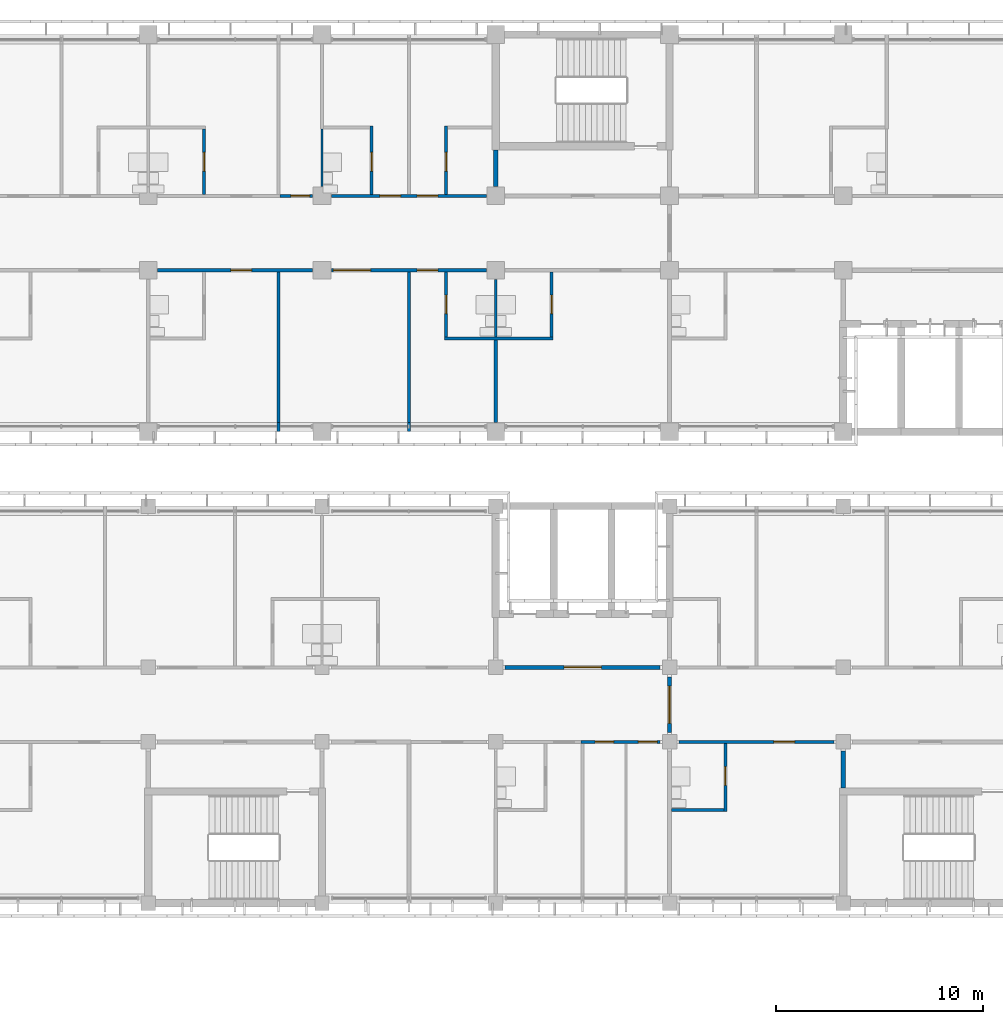
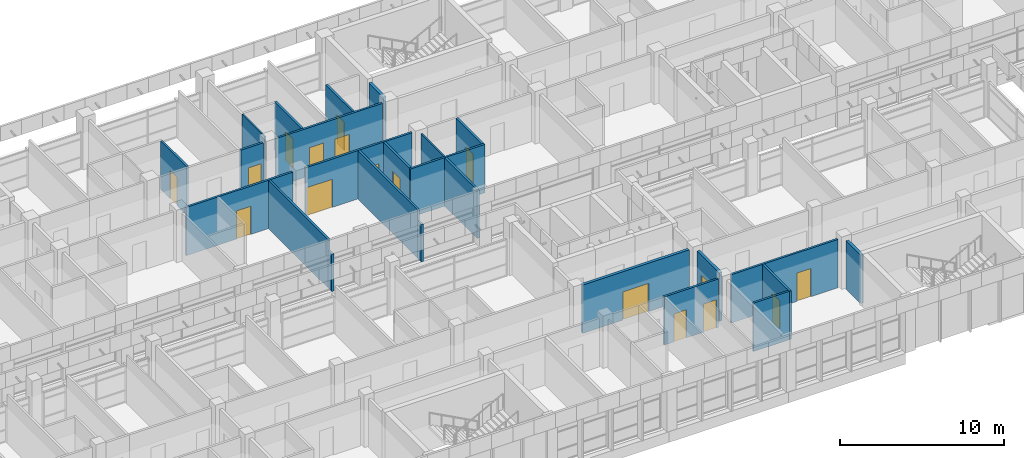
# One storey, part 37 of 74: 25 walls, 17 doors, 17 openings.
"""IFC4 building model written with IfcOpenShell, lengths in metres."""

from ifc_helpers import new_model, si_unit, direction, frame, frame_2d, origin, place, context, subcontext, project, spatial, rectangle, extrude, material, layer, layer_set, type_object, element, fill, save


model = new_model("IFC4")

# Units and contexts
model_context = context("Model", 3, precision=1e-05, world=origin(), true_north=direction((0.0, 1.0)))
body_context = subcontext(model_context, "Body", "Model", "MODEL_VIEW")
ifc_project = project(units=[si_unit("LENGTHUNIT", "METRE"), si_unit("AREAUNIT", "SQUARE_METRE"), si_unit("VOLUMEUNIT", "CUBIC_METRE"), si_unit("PLANEANGLEUNIT", "RADIAN"), si_unit("MASSUNIT", "GRAM", prefix="KILO")], contexts=[model_context])

# Site, building, storey
site_placement = place(None, origin())
site = spatial("IfcSite", under=ifc_project, at=site_placement, CompositionType="ELEMENT")
building_placement = place(site_placement, origin())
building = spatial("IfcBuilding", under=site, at=building_placement, Name="Bougainvillea Quay General Hospital", CompositionType="ELEMENT")
storey_placement = place(building_placement, frame((0.0, 0.0, 21.0)))
storey = spatial("IfcBuildingStorey", under=building, at=storey_placement, Name="L04", CompositionType="ELEMENT", Elevation=21.0)

# Walls
ifc_material_1 = material(Name="Gypsum board partition on steel studs", Category="steel")
ifc_layer_1 = layer(ifc_material_1, 0.10009765625)
ifc_layer_set_1 = layer_set([ifc_layer_1], Name="Gypsum board partition on steel studs")
wall_type_1 = type_object("IfcWallType", Name="Partition 100 Gypsum board partition", PredefinedType="PARTITIONING", material=ifc_layer_set_1)
for number, where, z_axis, x_axis, name in (
    (1, (126.0, 152.25, 0.0), (0.0, 0.0, 1.0), (0.0, 1.0, 0.0), "Partition 100 mm"),
    (2, (134.39990234375, 144.97509765625, 0.0), (0.0, 0.0, 1.0), (0.0, 1.0, 0.0), "Partition 100 mm"),
):
    element("IfcWall", number, at=place(storey_placement, frame(where, z_axis=z_axis, x_axis=x_axis)), inside=storey, type_object=wall_type_1, Name=name, PredefinedType="PARTITIONING", context=body_context, shape_type="SweptSolid", body=[
        extrude(rectangle(XDim=2.77490234375, YDim=0.10009765625, at=frame_2d((1.387451171875, 0.0))), origin(), (0.0, 0.0, 1.0), 3.60009765625),
    ])
ifc_material_2 = material(Name="Gypsum board partition on steel studs, insulated", Category="steel")
ifc_layer_2 = layer(ifc_material_2, 0.14990234375)
ifc_layer_set_2 = layer_set([ifc_layer_2], Name="Gypsum board partition on steel studs, insulated")
wall_type_2 = type_object("IfcWallType", Name="Partition 150 Gypsum board partition", PredefinedType="PARTITIONING", material=ifc_layer_set_2)
wall_1_placement = place(storey_placement, frame((123.89990234375, 140.39990234375, 0.0), z_axis=(0.0, 0.0, 1.0), x_axis=(0.0, 1.0, 0.0)))
element("IfcWall", 3, at=wall_1_placement, inside=storey, type_object=wall_type_2, Name="Partition 150 mm", PredefinedType="PARTITIONING", context=body_context, shape_type="SweptSolid", body=[
    extrude(rectangle(XDim=0.4501953125, YDim=0.14990234375, at=frame_2d((0.22509765625, 0.0))), origin(), (0.0, 0.0, 1.0), 2.780029296875),
])
wall_2_placement = place(storey_placement, frame((123.89990234375, 140.85009765625, 0.0), z_axis=(0.0, 0.0, 1.0), x_axis=(0.0, 1.0, 0.0)))
element("IfcWall", 4, at=wall_2_placement, inside=storey, type_object=wall_type_2, Name="Partition 150 mm", PredefinedType="PARTITIONING", context=body_context, shape_type="SweptSolid", body=[
    extrude(rectangle(XDim=7.27490234375, YDim=0.14990234375, at=frame_2d((3.637451171875, 0.0))), origin(), (0.0, 0.0, 1.0), 3.60009765625),
])
wall_3_placement = place(storey_placement, frame((130.199951171875, 140.39990234375, 0.0), z_axis=(0.0, 0.0, 1.0), x_axis=(0.0, 1.0, 0.0)))
element("IfcWall", 5, at=wall_3_placement, inside=storey, type_object=wall_type_2, Name="Partition 150 mm", PredefinedType="PARTITIONING", context=body_context, shape_type="SweptSolid", body=[
    extrude(rectangle(XDim=0.4501953125, YDim=0.14990234375, at=frame_2d((0.22509765625, 0.0))), origin(), (0.0, 0.0, 1.0), 2.780029296875),
])
wall_4_placement = place(storey_placement, frame((130.199951171875, 140.85009765625, 0.0), z_axis=(0.0, 0.0, 1.0), x_axis=(0.0, 1.0, 0.0)))
element("IfcWall", 6, at=wall_4_placement, inside=storey, type_object=wall_type_2, Name="Partition 150 mm", PredefinedType="PARTITIONING", context=body_context, shape_type="SweptSolid", body=[
    extrude(rectangle(XDim=7.27490234375, YDim=0.14990234375, at=frame_2d((3.637451171875, 0.0))), origin(), (0.0, 0.0, 1.0), 3.60009765625),
])
wall_5_placement = place(storey_placement, frame((131.925048828125, 144.89990234375, 0.0), z_axis=(0.0, 0.0, 1.0), x_axis=(1.0, 0.0, 0.0)))
element("IfcWall", 7, at=wall_5_placement, inside=storey, type_object=wall_type_2, Name="Partition 150 mm", PredefinedType="PARTITIONING", context=body_context, shape_type="SweptSolid", body=[
    extrude(rectangle(XDim=5.25, YDim=0.14990234375, at=frame_2d((2.625, 0.0))), origin(), (0.0, 0.0, 1.0), 3.60009765625),
])
wall_6_placement = place(storey_placement, frame((134.39990234375, 140.85009765625, 0.0), z_axis=(0.0, 0.0, 1.0), x_axis=(0.0, 1.0, 0.0)))
element("IfcWall", 8, at=wall_6_placement, inside=storey, type_object=wall_type_2, Name="Partition 150 mm", PredefinedType="PARTITIONING", context=body_context, shape_type="SweptSolid", body=[
    extrude(rectangle(XDim=3.974853515625, YDim=0.14990234375, at=frame_2d((1.9873046875, 0.0))), origin(), (0.0, 0.0, 1.0), 3.60009765625),
])

# Wall, opening, door
wall_7_placement = place(storey_placement, frame((145.5, 122.02490234375, 0.0), z_axis=(0.0, 0.0, 1.0), x_axis=(0.0, 1.0, 0.0)))
wall_7 = element("IfcWall", 9, at=wall_7_placement, inside=storey, type_object=wall_type_2, Name="Partition 150 mm", PredefinedType="PARTITIONING", context=body_context, shape_type="SweptSolid", body=[
    extrude(rectangle(XDim=3.300048828125, YDim=0.14990234375, at=frame_2d((1.64990234375, 0.0))), origin(), (0.0, 0.0, 1.0), 3.60009765625),
])
opening_1_placement = place(wall_7_placement, frame((1.27490234375, 0.0, 0.0)))
opening_1 = element("IfcOpeningElement", 10, at=opening_1_placement, cuts=wall_7, Name="Opening L04.123", PredefinedType="OPENING", context=body_context, shape_type="SweptSolid", body=[
    extrude(rectangle(XDim=0.89990234375, YDim=2.10009765625, at=frame_2d((0.449951171875, 1.050048828125))), frame((0.0, 0.0849609375, 0.0), z_axis=(0.0, -1.0, 0.0), x_axis=(1.0, 0.0, 0.0)), (0.0, 0.0, 1.0), 0.169921875),
])
ifc_material_3 = material(Name="Solid-core timber door leaf in steel frame", Category="steel")
door_type_1 = type_object("IfcDoorType", Name="Single leaf door 900x2100", OperationType="NOTDEFINED", PredefinedType="DOOR", material=ifc_material_3)
door_1_placement = place(opening_1_placement, origin())
door_1 = element("IfcDoor", 11, at=door_1_placement, inside=storey, type_object=door_type_1, Name="DT07 L04.123", OperationType="SINGLE_SWING_RIGHT", OverallHeight=2.10009765625, OverallWidth=0.89990234375, PredefinedType="DOOR", context=body_context, shape_type="SweptSolid", body=[
    extrude(rectangle(XDim=0.89990234375, YDim=2.10009765625, at=frame_2d((0.449951171875, 1.050048828125))), frame((0.0, 0.02490234375, 0.0), z_axis=(0.0, -1.0, 0.0), x_axis=(1.0, 0.0, 0.0)), (0.0, 0.0, 1.0), 0.050048828125),
])
fill(opening_1, door_1)

wall_8_placement = place(storey_placement, frame((120.300048828125, 151.875, 0.0), z_axis=(0.0, 0.0, 1.0), x_axis=(0.0, 1.0, 0.0)))
wall_8 = element("IfcWall", 12, at=wall_8_placement, inside=storey, type_object=wall_type_2, Name="Partition 150 mm", PredefinedType="PARTITIONING", context=body_context, shape_type="SweptSolid", body=[
    extrude(rectangle(XDim=3.14990234375, YDim=0.14990234375, at=frame_2d((1.574951171875, 0.0))), origin(), (0.0, 0.0, 1.0), 3.60009765625),
])
opening_2_placement = place(wall_8_placement, frame((1.125, 0.0, 0.0)))
opening_2 = element("IfcOpeningElement", 13, at=opening_2_placement, cuts=wall_8, Name="Opening L04.043", PredefinedType="OPENING", context=body_context, shape_type="SweptSolid", body=[
    extrude(rectangle(XDim=0.89990234375, YDim=2.10009765625, at=frame_2d((0.449951171875, 1.050048828125))), frame((0.0, 0.0849609375, 0.0), z_axis=(0.0, -1.0, 0.0), x_axis=(1.0, 0.0, 0.0)), (0.0, 0.0, 1.0), 0.169921875),
])
door_2_placement = place(opening_2_placement, origin())
door_2 = element("IfcDoor", 14, at=door_2_placement, inside=storey, type_object=door_type_1, Name="DT07 L04.043", OperationType="SINGLE_SWING_RIGHT", OverallHeight=2.10009765625, OverallWidth=0.89990234375, PredefinedType="DOOR", context=body_context, shape_type="SweptSolid", body=[
    extrude(rectangle(XDim=0.89990234375, YDim=2.10009765625, at=frame_2d((0.449951171875, 1.050048828125))), frame((0.0, 0.02490234375, 0.0), z_axis=(0.0, -1.0, 0.0), x_axis=(1.0, 0.0, 0.0)), (0.0, 0.0, 1.0), 0.050048828125),
])
fill(opening_2, door_2)

wall_9_placement = place(storey_placement, frame((128.39990234375, 151.875, 0.0), z_axis=(0.0, 0.0, 1.0), x_axis=(0.0, 1.0, 0.0)))
wall_9 = element("IfcWall", 15, at=wall_9_placement, inside=storey, type_object=wall_type_2, Name="Partition 150 mm", PredefinedType="PARTITIONING", context=body_context, shape_type="SweptSolid", body=[
    extrude(rectangle(XDim=3.300048828125, YDim=0.14990234375, at=frame_2d((1.64990234375, 0.0))), origin(), (0.0, 0.0, 1.0), 3.60009765625),
])
opening_3_placement = place(wall_9_placement, frame((1.125, 0.0, 0.0)))
opening_3 = element("IfcOpeningElement", 16, at=opening_3_placement, cuts=wall_9, Name="Opening L04.046", PredefinedType="OPENING", context=body_context, shape_type="SweptSolid", body=[
    extrude(rectangle(XDim=0.89990234375, YDim=2.10009765625, at=frame_2d((0.449951171875, 1.050048828125))), frame((0.0, 0.0849609375, 0.0), z_axis=(0.0, -1.0, 0.0), x_axis=(1.0, 0.0, 0.0)), (0.0, 0.0, 1.0), 0.169921875),
])
door_3_placement = place(opening_3_placement, origin())
door_3 = element("IfcDoor", 17, at=door_3_placement, inside=storey, type_object=door_type_1, Name="DT07 L04.046", OperationType="SINGLE_SWING_LEFT", OverallHeight=2.10009765625, OverallWidth=0.89990234375, PredefinedType="DOOR", context=body_context, shape_type="SweptSolid", body=[
    extrude(rectangle(XDim=0.89990234375, YDim=2.10009765625, at=frame_2d((0.449951171875, 1.050048828125))), frame((0.0, 0.02490234375, 0.0), z_axis=(0.0, -1.0, 0.0), x_axis=(1.0, 0.0, 0.0)), (0.0, 0.0, 1.0), 0.050048828125),
])
fill(opening_3, door_3)

wall_10_placement = place(storey_placement, frame((132.0, 144.97509765625, 0.0), z_axis=(0.0, 0.0, 1.0), x_axis=(0.0, 1.0, 0.0)))
wall_10 = element("IfcWall", 18, at=wall_10_placement, inside=storey, type_object=wall_type_2, Name="Partition 150 mm", PredefinedType="PARTITIONING", context=body_context, shape_type="SweptSolid", body=[
    extrude(rectangle(XDim=3.14990234375, YDim=0.14990234375, at=frame_2d((1.574951171875, 0.0))), origin(), (0.0, 0.0, 1.0), 3.60009765625),
])
opening_4_placement = place(wall_10_placement, frame((1.125, 0.0, 0.0)))
opening_4 = element("IfcOpeningElement", 19, at=opening_4_placement, cuts=wall_10, Name="Opening L04.036", PredefinedType="OPENING", context=body_context, shape_type="SweptSolid", body=[
    extrude(rectangle(XDim=0.89990234375, YDim=2.10009765625, at=frame_2d((0.449951171875, 1.050048828125))), frame((0.0, 0.0849609375, 0.0), z_axis=(0.0, -1.0, 0.0), x_axis=(1.0, 0.0, 0.0)), (0.0, 0.0, 1.0), 0.169921875),
])
door_4_placement = place(opening_4_placement, frame((0.89990234375, 0.0, 0.0), z_axis=(0.0, 0.0, 1.0), x_axis=(-1.0, 0.0, 0.0)))
door_4 = element("IfcDoor", 20, at=door_4_placement, inside=storey, type_object=door_type_1, Name="DT07 L04.036", OperationType="SINGLE_SWING_LEFT", OverallHeight=2.10009765625, OverallWidth=0.89990234375, PredefinedType="DOOR", context=body_context, shape_type="SweptSolid", body=[
    extrude(rectangle(XDim=0.89990234375, YDim=2.10009765625, at=frame_2d((0.449951171875, 1.050048828125))), frame((0.0, 0.02490234375, 0.0), z_axis=(0.0, -1.0, 0.0), x_axis=(1.0, 0.0, 0.0)), (0.0, 0.0, 1.0), 0.050048828125),
])
fill(opening_4, door_4)

wall_11_placement = place(storey_placement, frame((132.0, 151.875, 0.0), z_axis=(0.0, 0.0, 1.0), x_axis=(0.0, 1.0, 0.0)))
wall_11 = element("IfcWall", 21, at=wall_11_placement, inside=storey, type_object=wall_type_2, Name="Partition 150 mm", PredefinedType="PARTITIONING", context=body_context, shape_type="SweptSolid", body=[
    extrude(rectangle(XDim=3.300048828125, YDim=0.14990234375, at=frame_2d((1.64990234375, 0.0))), origin(), (0.0, 0.0, 1.0), 3.60009765625),
])
opening_5_placement = place(wall_11_placement, frame((1.125, 0.0, 0.0)))
opening_5 = element("IfcOpeningElement", 22, at=opening_5_placement, cuts=wall_11, Name="Opening L04.048", PredefinedType="OPENING", context=body_context, shape_type="SweptSolid", body=[
    extrude(rectangle(XDim=0.89990234375, YDim=2.10009765625, at=frame_2d((0.449951171875, 1.050048828125))), frame((0.0, 0.0849609375, 0.0), z_axis=(0.0, -1.0, 0.0), x_axis=(1.0, 0.0, 0.0)), (0.0, 0.0, 1.0), 0.169921875),
])
door_5_placement = place(opening_5_placement, frame((0.89990234375, 0.0, 0.0), z_axis=(0.0, 0.0, 1.0), x_axis=(-1.0, 0.0, 0.0)))
door_5 = element("IfcDoor", 23, at=door_5_placement, inside=storey, type_object=door_type_1, Name="DT07 L04.048", OperationType="SINGLE_SWING_RIGHT", OverallHeight=2.10009765625, OverallWidth=0.89990234375, PredefinedType="DOOR", context=body_context, shape_type="SweptSolid", body=[
    extrude(rectangle(XDim=0.89990234375, YDim=2.10009765625, at=frame_2d((0.449951171875, 1.050048828125))), frame((0.0, 0.02490234375, 0.0), z_axis=(0.0, -1.0, 0.0), x_axis=(1.0, 0.0, 0.0)), (0.0, 0.0, 1.0), 0.050048828125),
])
fill(opening_5, door_5)

wall_12_placement = place(storey_placement, frame((137.10009765625, 144.97509765625, 0.0), z_axis=(0.0, 0.0, 1.0), x_axis=(0.0, 1.0, 0.0)))
wall_12 = element("IfcWall", 24, at=wall_12_placement, inside=storey, type_object=wall_type_2, Name="Partition 150 mm", PredefinedType="PARTITIONING", context=body_context, shape_type="SweptSolid", body=[
    extrude(rectangle(XDim=3.14990234375, YDim=0.14990234375, at=frame_2d((1.574951171875, 0.0))), origin(), (0.0, 0.0, 1.0), 3.60009765625),
])
opening_6_placement = place(wall_12_placement, frame((1.125, 0.0, 0.0)))
opening_6 = element("IfcOpeningElement", 25, at=opening_6_placement, cuts=wall_12, Name="Opening L04.038", PredefinedType="OPENING", context=body_context, shape_type="SweptSolid", body=[
    extrude(rectangle(XDim=0.89990234375, YDim=2.10009765625, at=frame_2d((0.449951171875, 1.050048828125))), frame((0.0, 0.0849609375, 0.0), z_axis=(0.0, -1.0, 0.0), x_axis=(1.0, 0.0, 0.0)), (0.0, 0.0, 1.0), 0.169921875),
])
door_6_placement = place(opening_6_placement, origin())
door_6 = element("IfcDoor", 26, at=door_6_placement, inside=storey, type_object=door_type_1, Name="DT07 L04.038", OperationType="SINGLE_SWING_RIGHT", OverallHeight=2.10009765625, OverallWidth=0.89990234375, PredefinedType="DOOR", context=body_context, shape_type="SweptSolid", body=[
    extrude(rectangle(XDim=0.89990234375, YDim=2.10009765625, at=frame_2d((0.449951171875, 1.050048828125))), frame((0.0, 0.02490234375, 0.0), z_axis=(0.0, -1.0, 0.0), x_axis=(1.0, 0.0, 0.0)), (0.0, 0.0, 1.0), 0.050048828125),
])
fill(opening_6, door_6)

# Wall
wall_13_placement = place(storey_placement, frame((142.89990234375, 122.10009765625, 0.0), z_axis=(0.0, 0.0, 1.0), x_axis=(1.0, 0.0, 0.0)))
element("IfcWall", 27, at=wall_13_placement, inside=storey, type_object=wall_type_2, Name="Partition 150 mm", PredefinedType="PARTITIONING", context=body_context, shape_type="SweptSolid", body=[
    extrude(rectangle(XDim=2.525146484375, YDim=0.14990234375, at=frame_2d((1.2626953125, 0.0))), origin(), (0.0, 0.0, 1.0), 3.60009765625),
])

# Wall, openings, doors
ifc_layer_3 = layer(ifc_material_2, 0.14990234375)
ifc_layer_set_3 = layer_set([ifc_layer_3], Name="Gypsum board partition on steel studs, insulated")
wall_type_3 = type_object("IfcWallType", Name="Partition 150 Gypsum board partition EI 30", PredefinedType="PARTITIONING", material=ifc_layer_set_3)
wall_14_placement = place(storey_placement, frame((133.949951171875, 148.199951171875, 0.0), z_axis=(0.0, 0.0, 1.0), x_axis=(-1.0, 0.0, 0.0)))
wall_14 = element("IfcWall", 28, at=wall_14_placement, inside=storey, type_object=wall_type_3, Name="Partition 150 mm EI 30", PredefinedType="PARTITIONING", context=body_context, shape_type="SweptSolid", body=[
    extrude(rectangle(XDim=7.5, YDim=0.14990234375, at=frame_2d((3.75, 0.0))), origin(), (0.0, 0.0, 1.0), 3.60009765625),
])
opening_7_placement = place(wall_14_placement, frame((5.60009765625, 0.0, 0.0)))
opening_7 = element("IfcOpeningElement", 29, at=opening_7_placement, cuts=wall_14, Name="Opening L04.034", PredefinedType="OPENING", context=body_context, shape_type="SweptSolid", body=[
    extrude(rectangle(XDim=1.800048828125, YDim=2.10009765625, at=frame_2d((0.89990234375, 1.050048828125))), frame((0.0, 0.0849609375, 0.0), z_axis=(0.0, -1.0, 0.0), x_axis=(1.0, 0.0, 0.0)), (0.0, 0.0, 1.0), 0.169921875),
])
opening_8_placement = place(wall_14_placement, frame((2.35009765625, 0.0, 0.0)))
opening_8 = element("IfcOpeningElement", 30, at=opening_8_placement, cuts=wall_14, Name="Opening L04.035", PredefinedType="OPENING", context=body_context, shape_type="SweptSolid", body=[
    extrude(rectangle(XDim=1.0, YDim=2.10009765625, at=frame_2d((0.5, 1.050048828125))), frame((0.0, 0.0849609375, 0.0), z_axis=(0.0, -1.0, 0.0), x_axis=(1.0, 0.0, 0.0)), (0.0, 0.0, 1.0), 0.169921875),
])
ifc_material_4 = material(Name="Solid-core timber door leaves in steel frame", Category="steel")
door_type_2 = type_object("IfcDoorType", Name="Double leaf door 1800x2100 FD30S", OperationType="DOUBLE_DOOR_SINGLE_SWING", PredefinedType="DOOR", material=ifc_material_4)
door_7_placement = place(opening_7_placement, origin())
door_7 = element("IfcDoor", 31, at=door_7_placement, inside=storey, type_object=door_type_2, Name="DT17 L04.034", OperationType="DOUBLE_DOOR_SINGLE_SWING", OverallHeight=2.10009765625, OverallWidth=1.800048828125, PredefinedType="DOOR", context=body_context, shape_type="SweptSolid", body=[
    extrude(rectangle(XDim=1.800048828125, YDim=2.10009765625, at=frame_2d((0.89990234375, 1.050048828125))), frame((0.0, 0.02490234375, 0.0), z_axis=(0.0, -1.0, 0.0), x_axis=(1.0, 0.0, 0.0)), (0.0, 0.0, 1.0), 0.050048828125),
])
fill(opening_7, door_7)
door_type_3 = type_object("IfcDoorType", Name="Single leaf door 1000x2100 FD30S", OperationType="NOTDEFINED", PredefinedType="DOOR", material=ifc_material_3)
door_8_placement = place(opening_8_placement, origin())
door_8 = element("IfcDoor", 32, at=door_8_placement, inside=storey, type_object=door_type_3, Name="DT15 L04.035", OperationType="SINGLE_SWING_LEFT", OverallHeight=2.10009765625, OverallWidth=1.0, PredefinedType="DOOR", context=body_context, shape_type="SweptSolid", body=[
    extrude(rectangle(XDim=1.0, YDim=2.10009765625, at=frame_2d((0.5, 1.050048828125))), frame((0.0, 0.02490234375, 0.0), z_axis=(0.0, -1.0, 0.0), x_axis=(1.0, 0.0, 0.0)), (0.0, 0.0, 1.0), 0.050048828125),
])
fill(opening_8, door_8)

# Wall, opening, door
wall_15_placement = place(storey_placement, frame((125.550048828125, 148.199951171875, 0.0), z_axis=(0.0, 0.0, 1.0), x_axis=(-1.0, 0.0, 0.0)))
wall_15 = element("IfcWall", 33, at=wall_15_placement, inside=storey, type_object=wall_type_3, Name="Partition 150 mm EI 30", PredefinedType="PARTITIONING", context=body_context, shape_type="SweptSolid", body=[
    extrude(rectangle(XDim=7.5, YDim=0.14990234375, at=frame_2d((3.75, 0.0))), origin(), (0.0, 0.0, 1.0), 3.60009765625),
])
opening_9_placement = place(wall_15_placement, frame((2.949951171875, 0.0, 0.0)))
opening_9 = element("IfcOpeningElement", 34, at=opening_9_placement, cuts=wall_15, Name="Opening L04.032", PredefinedType="OPENING", context=body_context, shape_type="SweptSolid", body=[
    extrude(rectangle(XDim=1.0, YDim=2.10009765625, at=frame_2d((0.5, 1.050048828125))), frame((0.0, 0.0849609375, 0.0), z_axis=(0.0, -1.0, 0.0), x_axis=(1.0, 0.0, 0.0)), (0.0, 0.0, 1.0), 0.169921875),
])
door_9_placement = place(opening_9_placement, origin())
door_9 = element("IfcDoor", 35, at=door_9_placement, inside=storey, type_object=door_type_3, Name="DT15 L04.032", OperationType="SINGLE_SWING_LEFT", OverallHeight=2.10009765625, OverallWidth=1.0, PredefinedType="DOOR", context=body_context, shape_type="SweptSolid", body=[
    extrude(rectangle(XDim=1.0, YDim=2.10009765625, at=frame_2d((0.5, 1.050048828125))), frame((0.0, 0.02490234375, 0.0), z_axis=(0.0, -1.0, 0.0), x_axis=(1.0, 0.0, 0.0)), (0.0, 0.0, 1.0), 0.050048828125),
])
fill(opening_9, door_9)

# Wall, openings, doors
wall_16_placement = place(storey_placement, frame((133.949951171875, 151.800048828125, 0.0), z_axis=(0.0, 0.0, 1.0), x_axis=(-1.0, 0.0, 0.0)))
wall_16 = element("IfcWall", 36, at=wall_16_placement, inside=storey, type_object=wall_type_3, Name="Partition 150 mm EI 30", PredefinedType="PARTITIONING", context=body_context, shape_type="SweptSolid", body=[
    extrude(rectangle(XDim=7.5, YDim=0.14990234375, at=frame_2d((3.75, 0.0))), origin(), (0.0, 0.0, 1.0), 3.60009765625),
])
opening_10_placement = place(wall_16_placement, frame((4.14990234375, 0.0, 0.0)))
opening_10 = element("IfcOpeningElement", 37, at=opening_10_placement, cuts=wall_16, Name="Opening L04.045", PredefinedType="OPENING", context=body_context, shape_type="SweptSolid", body=[
    extrude(rectangle(XDim=1.0, YDim=2.10009765625, at=frame_2d((0.5, 1.050048828125))), frame((0.0, 0.0849609375, 0.0), z_axis=(0.0, -1.0, 0.0), x_axis=(1.0, 0.0, 0.0)), (0.0, 0.0, 1.0), 0.169921875),
])
opening_11_placement = place(wall_16_placement, frame((2.35009765625, 0.0, 0.0)))
opening_11 = element("IfcOpeningElement", 38, at=opening_11_placement, cuts=wall_16, Name="Opening L04.047", PredefinedType="OPENING", context=body_context, shape_type="SweptSolid", body=[
    extrude(rectangle(XDim=1.0, YDim=2.10009765625, at=frame_2d((0.5, 1.050048828125))), frame((0.0, 0.0849609375, 0.0), z_axis=(0.0, -1.0, 0.0), x_axis=(1.0, 0.0, 0.0)), (0.0, 0.0, 1.0), 0.169921875),
])
door_10_placement = place(opening_10_placement, frame((1.0, 0.0, 0.0), z_axis=(0.0, 0.0, 1.0), x_axis=(-1.0, 0.0, 0.0)))
door_10 = element("IfcDoor", 39, at=door_10_placement, inside=storey, type_object=door_type_3, Name="DT15 L04.045", OperationType="SINGLE_SWING_LEFT", OverallHeight=2.10009765625, OverallWidth=1.0, PredefinedType="DOOR", context=body_context, shape_type="SweptSolid", body=[
    extrude(rectangle(XDim=1.0, YDim=2.10009765625, at=frame_2d((0.5, 1.050048828125))), frame((0.0, 0.02490234375, 0.0), z_axis=(0.0, -1.0, 0.0), x_axis=(1.0, 0.0, 0.0)), (0.0, 0.0, 1.0), 0.050048828125),
])
fill(opening_10, door_10)
door_11_placement = place(opening_11_placement, frame((1.0, 0.0, 0.0), z_axis=(0.0, 0.0, 1.0), x_axis=(-1.0, 0.0, 0.0)))
door_11 = element("IfcDoor", 40, at=door_11_placement, inside=storey, type_object=door_type_3, Name="DT15 L04.047", OperationType="SINGLE_SWING_RIGHT", OverallHeight=2.10009765625, OverallWidth=1.0, PredefinedType="DOOR", context=body_context, shape_type="SweptSolid", body=[
    extrude(rectangle(XDim=1.0, YDim=2.10009765625, at=frame_2d((0.5, 1.050048828125))), frame((0.0, 0.02490234375, 0.0), z_axis=(0.0, -1.0, 0.0), x_axis=(1.0, 0.0, 0.0)), (0.0, 0.0, 1.0), 0.050048828125),
])
fill(opening_11, door_11)

# Wall, opening, door
wall_17_placement = place(storey_placement, frame((143.25, 125.39990234375, 0.0), z_axis=(0.0, 0.0, 1.0), x_axis=(1.0, 0.0, 0.0)))
wall_17 = element("IfcWall", 41, at=wall_17_placement, inside=storey, type_object=wall_type_3, Name="Partition 150 mm EI 30", PredefinedType="PARTITIONING", context=body_context, shape_type="SweptSolid", body=[
    extrude(rectangle(XDim=7.5, YDim=0.14990234375, at=frame_2d((3.75, 0.0))), origin(), (0.0, 0.0, 1.0), 3.60009765625),
])
opening_12_placement = place(wall_17_placement, frame((4.60009765625, 0.0, 0.0)))
opening_12 = element("IfcOpeningElement", 42, at=opening_12_placement, cuts=wall_17, Name="Opening L04.122", PredefinedType="OPENING", context=body_context, shape_type="SweptSolid", body=[
    extrude(rectangle(XDim=1.0, YDim=2.10009765625, at=frame_2d((0.5, 1.050048828125))), frame((0.0, 0.0849609375, 0.0), z_axis=(0.0, -1.0, 0.0), x_axis=(1.0, 0.0, 0.0)), (0.0, 0.0, 1.0), 0.169921875),
])
door_12_placement = place(opening_12_placement, frame((1.0, 0.0, 0.0), z_axis=(0.0, 0.0, 1.0), x_axis=(-1.0, 0.0, 0.0)))
door_12 = element("IfcDoor", 43, at=door_12_placement, inside=storey, type_object=door_type_3, Name="DT15 L04.122", OperationType="SINGLE_SWING_LEFT", OverallHeight=2.10009765625, OverallWidth=1.0, PredefinedType="DOOR", context=body_context, shape_type="SweptSolid", body=[
    extrude(rectangle(XDim=1.0, YDim=2.10009765625, at=frame_2d((0.5, 1.050048828125))), frame((0.0, 0.02490234375, 0.0), z_axis=(0.0, -1.0, 0.0), x_axis=(1.0, 0.0, 0.0)), (0.0, 0.0, 1.0), 0.050048828125),
])
fill(opening_12, door_12)

# Wall, openings, doors
ifc_layer_4 = layer(ifc_material_2, 0.14990234375)
ifc_layer_set_4 = layer_set([ifc_layer_4], Name="Gypsum board partition on steel studs, insulated")
wall_type_4 = type_object("IfcWallType", Name="Partition 150 Gypsum board partition EI 60", PredefinedType="PARTITIONING", material=ifc_layer_set_4)
wall_18_placement = place(storey_placement, frame((138.52490234375, 125.39990234375, 0.0), z_axis=(0.0, 0.0, 1.0), x_axis=(1.0, 0.0, 0.0)))
wall_18 = element("IfcWall", 44, at=wall_18_placement, inside=storey, type_object=wall_type_4, Name="Partition 150 mm EI 60", PredefinedType="PARTITIONING", context=body_context, shape_type="SweptSolid", body=[
    extrude(rectangle(XDim=3.8251953125, YDim=0.14990234375, at=frame_2d((1.91259765625, 0.0))), origin(), (0.0, 0.0, 1.0), 3.60009765625),
])
opening_13_placement = place(wall_18_placement, frame((0.675048828125, 0.0, 0.0)))
opening_13 = element("IfcOpeningElement", 45, at=opening_13_placement, cuts=wall_18, Name="Opening L04.120", PredefinedType="OPENING", context=body_context, shape_type="SweptSolid", body=[
    extrude(rectangle(XDim=0.89990234375, YDim=2.10009765625, at=frame_2d((0.449951171875, 1.050048828125))), frame((0.0, 0.0849609375, 0.0), z_axis=(0.0, -1.0, 0.0), x_axis=(1.0, 0.0, 0.0)), (0.0, 0.0, 1.0), 0.169921875),
])
opening_14_placement = place(wall_18_placement, frame((2.77490234375, 0.0, 0.0)))
opening_14 = element("IfcOpeningElement", 46, at=opening_14_placement, cuts=wall_18, Name="Opening L04.121", PredefinedType="OPENING", context=body_context, shape_type="SweptSolid", body=[
    extrude(rectangle(XDim=0.89990234375, YDim=2.10009765625, at=frame_2d((0.449951171875, 1.050048828125))), frame((0.0, 0.0849609375, 0.0), z_axis=(0.0, -1.0, 0.0), x_axis=(1.0, 0.0, 0.0)), (0.0, 0.0, 1.0), 0.169921875),
])
door_type_4 = type_object("IfcDoorType", Name="Single leaf door 900x2100 FD60", OperationType="NOTDEFINED", PredefinedType="DOOR", material=ifc_material_3)
door_13_placement = place(opening_13_placement, frame((0.89990234375, 0.0, 0.0), z_axis=(0.0, 0.0, 1.0), x_axis=(-1.0, 0.0, 0.0)))
door_13 = element("IfcDoor", 47, at=door_13_placement, inside=storey, type_object=door_type_4, Name="DT18 L04.120", OperationType="SINGLE_SWING_RIGHT", OverallHeight=2.10009765625, OverallWidth=0.89990234375, PredefinedType="DOOR", context=body_context, shape_type="SweptSolid", body=[
    extrude(rectangle(XDim=0.89990234375, YDim=2.10009765625, at=frame_2d((0.449951171875, 1.050048828125))), frame((0.0, 0.02490234375, 0.0), z_axis=(0.0, -1.0, 0.0), x_axis=(1.0, 0.0, 0.0)), (0.0, 0.0, 1.0), 0.050048828125),
])
fill(opening_13, door_13)
door_14_placement = place(opening_14_placement, frame((0.89990234375, 0.0, 0.0), z_axis=(0.0, 0.0, 1.0), x_axis=(-1.0, 0.0, 0.0)))
door_14 = element("IfcDoor", 48, at=door_14_placement, inside=storey, type_object=door_type_4, Name="DT18 L04.121", OperationType="SINGLE_SWING_LEFT", OverallHeight=2.10009765625, OverallWidth=0.89990234375, PredefinedType="DOOR", context=body_context, shape_type="SweptSolid", body=[
    extrude(rectangle(XDim=0.89990234375, YDim=2.10009765625, at=frame_2d((0.449951171875, 1.050048828125))), frame((0.0, 0.02490234375, 0.0), z_axis=(0.0, -1.0, 0.0), x_axis=(1.0, 0.0, 0.0)), (0.0, 0.0, 1.0), 0.050048828125),
])
fill(opening_14, door_14)

# Wall, opening, door
wall_19_placement = place(storey_placement, frame((123.97509765625, 151.800048828125, 0.0), z_axis=(0.0, 0.0, 1.0), x_axis=(1.0, 0.0, 0.0)))
wall_19 = element("IfcWall", 49, at=wall_19_placement, inside=storey, type_object=wall_type_4, Name="Partition 150 mm EI 60", PredefinedType="PARTITIONING", context=body_context, shape_type="SweptSolid", body=[
    extrude(rectangle(XDim=1.574951171875, YDim=0.14990234375, at=frame_2d((0.78759765625, 0.0))), origin(), (0.0, 0.0, 1.0), 3.60009765625),
])
opening_15_placement = place(wall_19_placement, frame((0.52490234375, 0.0, 0.0)))
opening_15 = element("IfcOpeningElement", 50, at=opening_15_placement, cuts=wall_19, Name="Opening L04.044", PredefinedType="OPENING", context=body_context, shape_type="SweptSolid", body=[
    extrude(rectangle(XDim=0.89990234375, YDim=2.10009765625, at=frame_2d((0.449951171875, 1.050048828125))), frame((0.0, 0.0849609375, 0.0), z_axis=(0.0, -1.0, 0.0), x_axis=(1.0, 0.0, 0.0)), (0.0, 0.0, 1.0), 0.169921875),
])
door_15_placement = place(opening_15_placement, origin())
door_15 = element("IfcDoor", 51, at=door_15_placement, inside=storey, type_object=door_type_4, Name="DT18 L04.044", OperationType="SINGLE_SWING_RIGHT", OverallHeight=2.10009765625, OverallWidth=0.89990234375, PredefinedType="DOOR", context=body_context, shape_type="SweptSolid", body=[
    extrude(rectangle(XDim=0.89990234375, YDim=2.10009765625, at=frame_2d((0.449951171875, 1.050048828125))), frame((0.0, 0.02490234375, 0.0), z_axis=(0.0, -1.0, 0.0), x_axis=(1.0, 0.0, 0.0)), (0.0, 0.0, 1.0), 0.050048828125),
])
fill(opening_15, door_15)

ifc_material_5 = material(Name="Fire-rated autoclaved aerated block wall, plastered")
ifc_layer_5 = layer(ifc_material_5, 0.199951171875)
ifc_layer_set_5 = layer_set([ifc_layer_5], Name="Fire-rated autoclaved aerated block wall, plastered")
wall_type_5 = type_object("IfcWallType", Name="Partition 200 Fire-rated autoclaved aerated block wall EI 120", PredefinedType="SOLIDWALL", material=ifc_layer_set_5)
wall_20_placement = place(storey_placement, frame((142.800048828125, 128.550048828125, 0.0), z_axis=(0.0, 0.0, 1.0), x_axis=(0.0, -1.0, 0.0)))
wall_20 = element("IfcWall", 52, at=wall_20_placement, inside=storey, type_object=wall_type_5, Name="Partition 200 mm EI 120", PredefinedType="SOLIDWALL", context=body_context, shape_type="SweptSolid", body=[
    extrude(rectangle(XDim=2.699951171875, YDim=0.199951171875, at=frame_2d((1.35009765625, 0.0))), origin(), (0.0, 0.0, 1.0), 3.60009765625),
])
opening_16_placement = place(wall_20_placement, frame((0.449951171875, 0.0, 0.0)))
opening_16 = element("IfcOpeningElement", 53, at=opening_16_placement, cuts=wall_20, Name="Opening L04.077", PredefinedType="OPENING", context=body_context, shape_type="SweptSolid", body=[
    extrude(rectangle(XDim=1.800048828125, YDim=2.10009765625, at=frame_2d((0.89990234375, 1.050048828125))), frame((0.0, 0.10986328125, 0.0), z_axis=(0.0, -1.0, 0.0), x_axis=(1.0, 0.0, 0.0)), (0.0, 0.0, 1.0), 0.219970703125),
])
ifc_material_6 = material(Name="Steel fire door leaves in steel frame", Category="steel")
door_type_5 = type_object("IfcDoorType", Name="Steel double leaf door 1800x2100 FD90", OperationType="DOUBLE_DOOR_SINGLE_SWING", PredefinedType="DOOR", material=ifc_material_6)
door_16_placement = place(opening_16_placement, origin())
door_16 = element("IfcDoor", 54, at=door_16_placement, inside=storey, type_object=door_type_5, Name="DT03 L04.077", OperationType="DOUBLE_DOOR_SINGLE_SWING", OverallHeight=2.10009765625, OverallWidth=1.800048828125, PredefinedType="DOOR", context=body_context, shape_type="SweptSolid", body=[
    extrude(rectangle(XDim=1.800048828125, YDim=2.10009765625, at=frame_2d((0.89990234375, 1.050048828125))), frame((0.0, 0.02490234375, 0.0), z_axis=(0.0, -1.0, 0.0), x_axis=(1.0, 0.0, 0.0)), (0.0, 0.0, 1.0), 0.050048828125),
])
fill(opening_16, door_16)

wall_21_placement = place(storey_placement, frame((134.85009765625, 129.0, 0.0), z_axis=(0.0, 0.0, 1.0), x_axis=(1.0, 0.0, 0.0)))
wall_21 = element("IfcWall", 55, at=wall_21_placement, inside=storey, type_object=wall_type_5, Name="Partition 200 mm EI 120", PredefinedType="SOLIDWALL", context=body_context, shape_type="SweptSolid", body=[
    extrude(rectangle(XDim=7.5, YDim=0.199951171875, at=frame_2d((3.75, 0.0))), origin(), (0.0, 0.0, 1.0), 3.60009765625),
])
opening_17_placement = place(wall_21_placement, frame((2.85009765625, 0.0, 0.0)))
opening_17 = element("IfcOpeningElement", 56, at=opening_17_placement, cuts=wall_21, Name="Opening L04.140", PredefinedType="OPENING", context=body_context, shape_type="SweptSolid", body=[
    extrude(rectangle(XDim=1.800048828125, YDim=2.10009765625, at=frame_2d((0.89990234375, 1.050048828125))), frame((0.0, 0.10986328125, 0.0), z_axis=(0.0, -1.0, 0.0), x_axis=(1.0, 0.0, 0.0)), (0.0, 0.0, 1.0), 0.219970703125),
])
door_type_6 = type_object("IfcDoorType", Name="Steel double leaf door 1800x2100 FD60", OperationType="DOUBLE_DOOR_SINGLE_SWING", PredefinedType="DOOR", material=ifc_material_6)
door_17_placement = place(opening_17_placement, origin())
door_17 = element("IfcDoor", 57, at=door_17_placement, inside=storey, type_object=door_type_6, Name="DT05 L04.140", OperationType="DOUBLE_DOOR_SINGLE_SWING", OverallHeight=2.10009765625, OverallWidth=1.800048828125, PredefinedType="DOOR", context=body_context, shape_type="SweptSolid", body=[
    extrude(rectangle(XDim=1.800048828125, YDim=2.10009765625, at=frame_2d((0.89990234375, 1.050048828125))), frame((0.0, 0.02490234375, 0.0), z_axis=(0.0, -1.0, 0.0), x_axis=(1.0, 0.0, 0.0)), (0.0, 0.0, 1.0), 0.050048828125),
])
fill(opening_17, door_17)

# Walls
for number, where, z_axis, x_axis, name in (
    (58, (151.199951171875, 123.175048828125, 0.0), (0.0, 0.0, 1.0), (0.0, 1.0, 0.0), "Partition 200 mm EI 120"),
    (59, (134.39990234375, 152.25, 0.0), (0.0, 0.0, 1.0), (0.0, 1.0, 0.0), "Partition 200 mm EI 120"),
):
    element("IfcWall", number, at=place(storey_placement, frame(where, z_axis=z_axis, x_axis=x_axis)), inside=storey, type_object=wall_type_5, Name=name, PredefinedType="SOLIDWALL", context=body_context, shape_type="SweptSolid", body=[
        extrude(rectangle(XDim=1.77490234375, YDim=0.199951171875, at=frame_2d((0.887451171875, 0.0))), origin(), (0.0, 0.0, 1.0), 3.60009765625),
    ])

save(model, "model.ifc")
